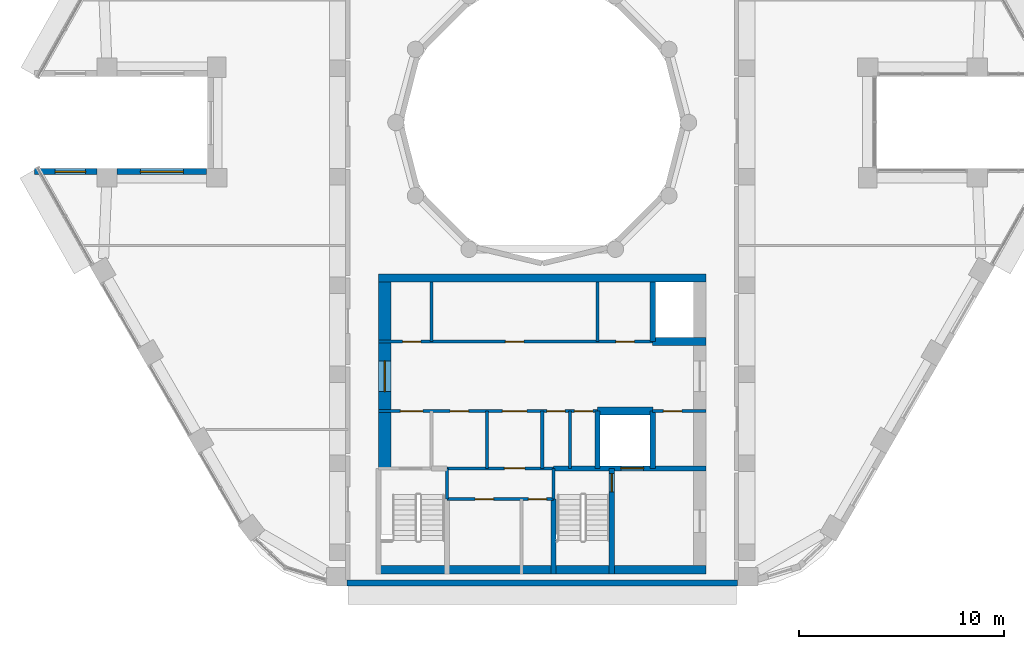
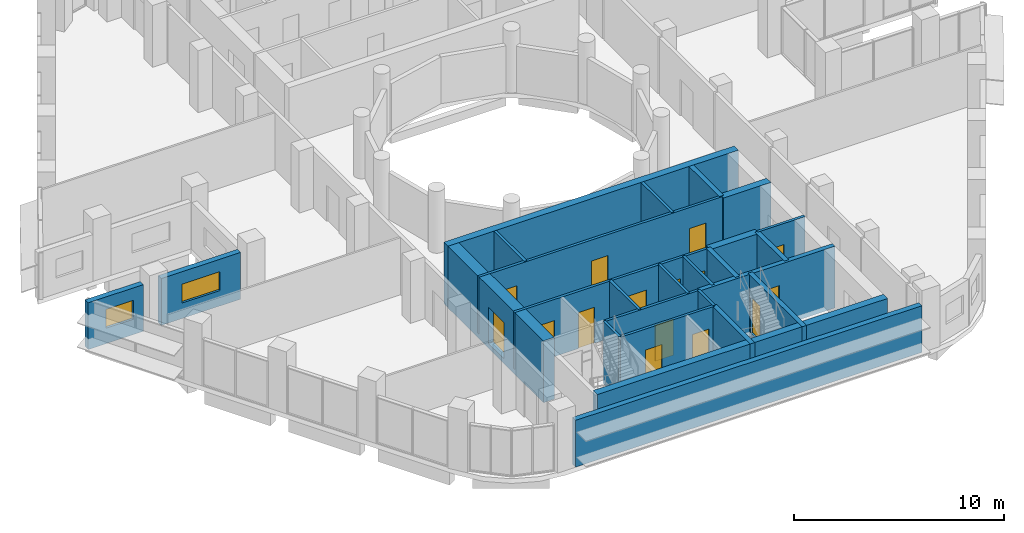
# One storey, part 10 of 16: 26 walls, 15 doors, 2 windows, 17 openings.
"""IFC4 building model written with IfcOpenShell, lengths in metres."""

from ifc_helpers import new_model, si_unit, direction, frame, frame_2d, origin, place, context, subcontext, project, spatial, rectangle, extrude, material, layer, layer_set, type_object, element, fill, save


model = new_model("IFC4")

# Units and contexts
model_context = context("Model", 3, precision=1e-05, world=origin(), true_north=direction((0.0, 1.0)))
body_context = subcontext(model_context, "Body", "Model", "MODEL_VIEW")
ifc_project = project(units=[si_unit("LENGTHUNIT", "METRE"), si_unit("AREAUNIT", "SQUARE_METRE"), si_unit("VOLUMEUNIT", "CUBIC_METRE"), si_unit("PLANEANGLEUNIT", "RADIAN"), si_unit("MASSUNIT", "GRAM", prefix="KILO")], contexts=[model_context])

# Site, building, storey
site_placement = place(None, origin())
site = spatial("IfcSite", under=ifc_project, at=site_placement, CompositionType="ELEMENT")
building_placement = place(site_placement, origin())
building = spatial("IfcBuilding", under=site, at=building_placement, Name="Nakaniwa Court", CompositionType="ELEMENT")
storey_placement = place(building_placement, frame((0.0, 0.0, 272.39990234375)))
storey = spatial("IfcBuildingStorey", under=building, at=storey_placement, Name="C01", CompositionType="ELEMENT", Elevation=272.39990234375)

# Wall, opening, window
ifc_material_1 = material(Name="Charcoal ceramic cladding")
ifc_layer_1 = layer(ifc_material_1, 0.02, Name="Ceramic cladding")
ifc_material_2 = material(Name="Ventilated air cavity")
ifc_layer_2 = layer(ifc_material_2, 0.04, ventilated=True, Name="Ventilated cavity")
ifc_material_3 = material(Name="Mineral wool insulation")
ifc_layer_3 = layer(ifc_material_3, 0.1, Name="Insulation")
ifc_material_4 = material(Name="Cement bonded sheathing board")
ifc_layer_4 = layer(ifc_material_4, 0.012, Name="Sheathing")
ifc_material_5 = material(Name="Cold-formed galvanised stud frame with mineral wool infill")
ifc_layer_5 = layer(ifc_material_5, 0.1, Name="Stud frame")
ifc_material_6 = material(Name="Fire-rated gypsum plasterboard lining")
ifc_layer_6 = layer(ifc_material_6, 0.028, Name="Lining")
ifc_layer_set_1 = layer_set([ifc_layer_1, ifc_layer_2, ifc_layer_3, ifc_layer_4, ifc_layer_5, ifc_layer_6], Name="Charcoal ceramic faced external wall system")
wall_type_1 = type_object("IfcWallType", Name="Black ceramic faced external wall 300", PredefinedType="SOLIDWALL", material=ifc_layer_set_1)
wall_1_placement = place(storey_placement, frame((63.6044921875, 77.60009765625, 0.0), z_axis=(0.0, 0.0, 1.0), x_axis=(-1.0, 0.0, 0.0)))
wall_1 = element("IfcWall", 1, at=wall_1_placement, inside=storey, type_object=wall_type_1, Name="C01 external wall 18", PredefinedType="SOLIDWALL", context=body_context, shape_type="SweptSolid", body=[
    extrude(rectangle(XDim=4.37255859375, YDim=0.300048828125, at=frame_2d((2.186279296875, 0.0))), origin(), (0.0, 0.0, 1.0), 2.72509765625),
])
opening_1_placement = place(wall_1_placement, frame((1.13623046875, 0.0, 0.89990234375)))
opening_1 = element("IfcOpeningElement", 2, at=opening_1_placement, cuts=wall_1, Name="Opening W7.07", PredefinedType="OPENING", context=body_context, shape_type="SweptSolid", body=[
    extrude(rectangle(XDim=2.10009765625, YDim=1.10009765625, at=frame_2d((1.050048828125, 0.550048828125))), frame((0.0, 0.159912109375, 0.0), z_axis=(0.0, -1.0, 0.0), x_axis=(1.0, 0.0, 0.0)), (0.0, 0.0, 1.0), 0.320068359375),
])
ifc_material_7 = material(Name="Black anodised aluminium frame with dark low-E laminated double glazing", Category="aluminium")
window_type_1 = type_object("IfcWindowType", Name="Dark glass window 2100x1100 sill 900", PartitioningType="SINGLE_PANEL", PredefinedType="WINDOW", material=ifc_material_7)
window_1_placement = place(opening_1_placement, origin())
window_1 = element("IfcWindow", 3, at=window_1_placement, inside=storey, type_object=window_type_1, Name="C01 habitable room window 18-0", OverallHeight=1.10009765625, OverallWidth=2.10009765625, PartitioningType="SINGLE_PANEL", PredefinedType="WINDOW", context=body_context, shape_type="SweptSolid", body=[
    extrude(rectangle(XDim=2.10009765625, YDim=1.10009765625, at=frame_2d((1.050048828125, 0.550048828125))), frame((0.0, 0.030029296875, 0.0), z_axis=(0.0, -1.0, 0.0), x_axis=(1.0, 0.0, 0.0)), (0.0, 0.0, 1.0), 0.06005859375),
])
fill(opening_1, window_1)

wall_2_placement = place(storey_placement, frame((58.239990234375, 77.60009765625, 0.0), z_axis=(0.0, 0.0, 1.0), x_axis=(-1.0, 0.0, 0.0)))
wall_2 = element("IfcWall", 4, at=wall_2_placement, inside=storey, type_object=wall_type_1, Name="C01 external wall 19", PredefinedType="SOLIDWALL", context=body_context, shape_type="SweptSolid", body=[
    extrude(rectangle(XDim=3.037841796875, YDim=0.300048828125, at=frame_2d((1.51904296875, 0.0))), origin(), (0.0, 0.0, 1.0), 2.72509765625),
])
opening_2_placement = place(wall_2_placement, frame((0.5439453125, 0.0, 0.89990234375)))
opening_2 = element("IfcOpeningElement", 5, at=opening_2_placement, cuts=wall_2, Name="Opening W5.08", PredefinedType="OPENING", context=body_context, shape_type="SweptSolid", body=[
    extrude(rectangle(XDim=1.5, YDim=1.10009765625, at=frame_2d((0.75, 0.550048828125))), frame((0.0, 0.159912109375, 0.0), z_axis=(0.0, -1.0, 0.0), x_axis=(1.0, 0.0, 0.0)), (0.0, 0.0, 1.0), 0.320068359375),
])
window_type_2 = type_object("IfcWindowType", Name="Dark glass window 1500x1100 sill 900", PartitioningType="SINGLE_PANEL", PredefinedType="WINDOW", material=ifc_material_7)
window_2_placement = place(opening_2_placement, origin())
window_2 = element("IfcWindow", 6, at=window_2_placement, inside=storey, type_object=window_type_2, Name="C01 habitable room window 19-0", OverallHeight=1.10009765625, OverallWidth=1.5, PartitioningType="SINGLE_PANEL", PredefinedType="WINDOW", context=body_context, shape_type="SweptSolid", body=[
    extrude(rectangle(XDim=1.5, YDim=1.10009765625, at=frame_2d((0.75, 0.550048828125))), frame((0.0, 0.030029296875, 0.0), z_axis=(0.0, -1.0, 0.0), x_axis=(1.0, 0.0, 0.0)), (0.0, 0.0, 1.0), 0.06005859375),
])
fill(opening_2, window_2)

# Walls
wall_3_placement = place(storey_placement, frame((70.45068359375, 57.5, 0.0), z_axis=(0.0, 0.0, 1.0), x_axis=(1.0, 0.0, 0.0)))
element("IfcWall", 7, at=wall_3_placement, inside=storey, type_object=wall_type_1, Name="C01 external wall 26", PredefinedType="SOLIDWALL", context=body_context, shape_type="SweptSolid", body=[
    extrude(rectangle(XDim=19.0927734375, YDim=0.300048828125, at=frame_2d((9.54638671875, 0.0))), origin(), (0.0, 0.0, 1.0), 2.72509765625),
])
ifc_material_8 = material(Name="Blockwork partition", Category="masonry")
ifc_layer_7 = layer(ifc_material_8, 0.14990234375)
ifc_layer_set_2 = layer_set([ifc_layer_7], Name="Blockwork partition")
wall_type_2 = type_object("IfcWallType", Name="Blockwork partition 150", PredefinedType="PARTITIONING", material=ifc_layer_set_2)
wall_4_placement = place(storey_placement, frame((74.60009765625, 69.300048828125, 0.0), z_axis=(0.0, 0.0, 1.0), x_axis=(0.0, 1.0, 0.0)))
element("IfcWall", 8, at=wall_4_placement, inside=storey, type_object=wall_type_2, Name="Partition PW-030", PredefinedType="PARTITIONING", context=body_context, shape_type="SweptSolid", body=[
    extrude(rectangle(XDim=2.89990234375, YDim=0.14990234375, at=frame_2d((1.449951171875, 0.0))), origin(), (0.0, 0.0, 1.0), 3.3251953125),
])

# Wall, openings, doors
wall_5_placement = place(storey_placement, frame((72.0, 69.300048828125, 0.0), z_axis=(0.0, 0.0, 1.0), x_axis=(1.0, 0.0, 0.0)))
wall_5 = element("IfcWall", 9, at=wall_5_placement, inside=storey, type_object=wall_type_2, Name="Partition PW-031", PredefinedType="PARTITIONING", context=body_context, shape_type="SweptSolid", body=[
    extrude(rectangle(XDim=13.39990234375, YDim=0.14990234375, at=frame_2d((6.699951171875, 0.0))), origin(), (0.0, 0.0, 1.0), 3.3251953125),
])
opening_3_placement = place(wall_5_placement, frame((1.175048828125, 0.0, 0.0)))
opening_3 = element("IfcOpeningElement", 10, at=opening_3_placement, cuts=wall_5, Name="Opening D-05-10", PredefinedType="OPENING", context=body_context, shape_type="SweptSolid", body=[
    extrude(rectangle(XDim=0.89990234375, YDim=2.10009765625, at=frame_2d((0.449951171875, 1.050048828125))), frame((0.0, 0.0849609375, 0.0), z_axis=(0.0, -1.0, 0.0), x_axis=(1.0, 0.0, 0.0)), (0.0, 0.0, 1.0), 0.169921875),
])
opening_4_placement = place(wall_5_placement, frame((6.199951171875, 0.0, 0.0)))
opening_4 = element("IfcOpeningElement", 11, at=opening_4_placement, cuts=wall_5, Name="Opening D-05-11", PredefinedType="OPENING", context=body_context, shape_type="SweptSolid", body=[
    extrude(rectangle(XDim=0.89990234375, YDim=2.10009765625, at=frame_2d((0.449951171875, 1.050048828125))), frame((0.0, 0.0849609375, 0.0), z_axis=(0.0, -1.0, 0.0), x_axis=(1.0, 0.0, 0.0)), (0.0, 0.0, 1.0), 0.169921875),
])
opening_5_placement = place(wall_5_placement, frame((11.60009765625, 0.0, 0.0)))
opening_5 = element("IfcOpeningElement", 12, at=opening_5_placement, cuts=wall_5, Name="Opening D-05-12", PredefinedType="OPENING", context=body_context, shape_type="SweptSolid", body=[
    extrude(rectangle(XDim=0.89990234375, YDim=2.10009765625, at=frame_2d((0.449951171875, 1.050048828125))), frame((0.0, 0.0849609375, 0.0), z_axis=(0.0, -1.0, 0.0), x_axis=(1.0, 0.0, 0.0)), (0.0, 0.0, 1.0), 0.169921875),
])
ifc_material_9 = material(Name="Fire rated steel door set", Category="steel")
door_type_1 = type_object("IfcDoorType", Name="Service room door 900", OperationType="NOTDEFINED", PredefinedType="DOOR", material=ifc_material_9)
door_1_placement = place(opening_3_placement, origin())
door_1 = element("IfcDoor", 13, at=door_1_placement, inside=storey, type_object=door_type_1, Name="Door D-05-10 C01-015", OperationType="SINGLE_SWING_RIGHT", OverallHeight=2.10009765625, OverallWidth=0.89990234375, PredefinedType="DOOR", context=body_context, shape_type="SweptSolid", body=[
    extrude(rectangle(XDim=0.89990234375, YDim=2.10009765625, at=frame_2d((0.449951171875, 1.050048828125))), frame((0.0, 0.02490234375, 0.0), z_axis=(0.0, -1.0, 0.0), x_axis=(1.0, 0.0, 0.0)), (0.0, 0.0, 1.0), 0.050048828125),
])
fill(opening_3, door_1)
door_2_placement = place(opening_4_placement, origin())
door_2 = element("IfcDoor", 14, at=door_2_placement, inside=storey, type_object=door_type_1, Name="Door D-05-11 C01-016", OperationType="SINGLE_SWING_LEFT", OverallHeight=2.10009765625, OverallWidth=0.89990234375, PredefinedType="DOOR", context=body_context, shape_type="SweptSolid", body=[
    extrude(rectangle(XDim=0.89990234375, YDim=2.10009765625, at=frame_2d((0.449951171875, 1.050048828125))), frame((0.0, 0.02490234375, 0.0), z_axis=(0.0, -1.0, 0.0), x_axis=(1.0, 0.0, 0.0)), (0.0, 0.0, 1.0), 0.050048828125),
])
fill(opening_4, door_2)
door_3_placement = place(opening_5_placement, origin())
door_3 = element("IfcDoor", 15, at=door_3_placement, inside=storey, type_object=door_type_1, Name="Door D-05-12 C01-017", OperationType="SINGLE_SWING_RIGHT", OverallHeight=2.10009765625, OverallWidth=0.89990234375, PredefinedType="DOOR", context=body_context, shape_type="SweptSolid", body=[
    extrude(rectangle(XDim=0.89990234375, YDim=2.10009765625, at=frame_2d((0.449951171875, 1.050048828125))), frame((0.0, 0.02490234375, 0.0), z_axis=(0.0, -1.0, 0.0), x_axis=(1.0, 0.0, 0.0)), (0.0, 0.0, 1.0), 0.050048828125),
])
fill(opening_5, door_3)

# Wall
wall_6_placement = place(storey_placement, frame((82.699951171875, 69.300048828125, 0.0), z_axis=(0.0, 0.0, 1.0), x_axis=(0.0, 1.0, 0.0)))
element("IfcWall", 16, at=wall_6_placement, inside=storey, type_object=wall_type_2, Name="Partition PW-037", PredefinedType="PARTITIONING", context=body_context, shape_type="SweptSolid", body=[
    extrude(rectangle(XDim=2.89990234375, YDim=0.14990234375, at=frame_2d((1.449951171875, 0.0))), origin(), (0.0, 0.0, 1.0), 3.3251953125),
])

# Wall, openings, doors
wall_7_placement = place(storey_placement, frame((82.702880859375, 65.89990234375, 0.0), z_axis=(0.0, 0.0, 1.0), x_axis=(-1.0, 0.0, 0.0)))
wall_7 = element("IfcWall", 17, at=wall_7_placement, inside=storey, type_object=wall_type_2, Name="Partition PW-038", PredefinedType="PARTITIONING", context=body_context, shape_type="SweptSolid", body=[
    extrude(rectangle(XDim=10.702880859375, YDim=0.14990234375, at=frame_2d((5.3515625, 0.0))), origin(), (0.0, 0.0, 1.0), 3.3251953125),
])
opening_6_placement = place(wall_7_placement, frame((8.528076171875, 0.0, 0.0)))
opening_6 = element("IfcOpeningElement", 18, at=opening_6_placement, cuts=wall_7, Name="Opening D-08-02", PredefinedType="OPENING", context=body_context, shape_type="SweptSolid", body=[
    extrude(rectangle(XDim=1.10009765625, YDim=2.10009765625, at=frame_2d((0.550048828125, 1.050048828125))), frame((0.0, 0.0849609375, 0.0), z_axis=(0.0, -1.0, 0.0), x_axis=(1.0, 0.0, 0.0)), (0.0, 0.0, 1.0), 0.169921875),
])
opening_7_placement = place(wall_7_placement, frame((6.302978515625, 0.0, 0.0)))
opening_7 = element("IfcOpeningElement", 19, at=opening_7_placement, cuts=wall_7, Name="Opening D-05-13", PredefinedType="OPENING", context=body_context, shape_type="SweptSolid", body=[
    extrude(rectangle(XDim=0.89990234375, YDim=2.10009765625, at=frame_2d((0.449951171875, 1.050048828125))), frame((0.0, 0.0849609375, 0.0), z_axis=(0.0, -1.0, 0.0), x_axis=(1.0, 0.0, 0.0)), (0.0, 0.0, 1.0), 0.169921875),
])
opening_8_placement = place(wall_7_placement, frame((3.452880859375, 0.0, 0.0)))
opening_8 = element("IfcOpeningElement", 20, at=opening_8_placement, cuts=wall_7, Name="Opening D-06-02", PredefinedType="OPENING", context=body_context, shape_type="SweptSolid", body=[
    extrude(rectangle(XDim=1.199951171875, YDim=2.10009765625, at=frame_2d((0.60009765625, 1.050048828125))), frame((0.0, 0.0849609375, 0.0), z_axis=(0.0, -1.0, 0.0), x_axis=(1.0, 0.0, 0.0)), (0.0, 0.0, 1.0), 0.169921875),
])
opening_9_placement = place(wall_7_placement, frame((1.577880859375, 0.0, 0.0)))
opening_9 = element("IfcOpeningElement", 21, at=opening_9_placement, cuts=wall_7, Name="Opening D-05-14", PredefinedType="OPENING", context=body_context, shape_type="SweptSolid", body=[
    extrude(rectangle(XDim=0.89990234375, YDim=2.10009765625, at=frame_2d((0.449951171875, 1.050048828125))), frame((0.0, 0.0849609375, 0.0), z_axis=(0.0, -1.0, 0.0), x_axis=(1.0, 0.0, 0.0)), (0.0, 0.0, 1.0), 0.169921875),
])
opening_10_placement = place(wall_7_placement, frame((0.22802734375, 0.0, 0.0)))
opening_10 = element("IfcOpeningElement", 22, at=opening_10_placement, cuts=wall_7, Name="Opening D-05-15", PredefinedType="OPENING", context=body_context, shape_type="SweptSolid", body=[
    extrude(rectangle(XDim=0.89990234375, YDim=2.10009765625, at=frame_2d((0.449951171875, 1.050048828125))), frame((0.0, 0.0849609375, 0.0), z_axis=(0.0, -1.0, 0.0), x_axis=(1.0, 0.0, 0.0)), (0.0, 0.0, 1.0), 0.169921875),
])
ifc_material_10 = material(Name="Fire rated steel double door set", Category="steel")
door_type_2 = type_object("IfcDoorType", Name="Service passage double door 1200", OperationType="NOTDEFINED", PredefinedType="DOOR", material=ifc_material_10)
door_4_placement = place(opening_8_placement, origin())
door_4 = element("IfcDoor", 23, at=door_4_placement, inside=storey, type_object=door_type_2, Name="Door D-06-02 C01-020", OperationType="DOUBLE_DOOR_SINGLE_SWING", OverallHeight=2.10009765625, OverallWidth=1.199951171875, PredefinedType="DOOR", context=body_context, shape_type="SweptSolid", body=[
    extrude(rectangle(XDim=1.199951171875, YDim=2.10009765625, at=frame_2d((0.60009765625, 1.050048828125))), frame((0.0, 0.02490234375, 0.0), z_axis=(0.0, -1.0, 0.0), x_axis=(1.0, 0.0, 0.0)), (0.0, 0.0, 1.0), 0.050048828125),
])
fill(opening_8, door_4)
door_5_placement = place(opening_7_placement, origin())
door_5 = element("IfcDoor", 24, at=door_5_placement, inside=storey, type_object=door_type_1, Name="Door D-05-13 C01-019", OperationType="SINGLE_SWING_RIGHT", OverallHeight=2.10009765625, OverallWidth=0.89990234375, PredefinedType="DOOR", context=body_context, shape_type="SweptSolid", body=[
    extrude(rectangle(XDim=0.89990234375, YDim=2.10009765625, at=frame_2d((0.449951171875, 1.050048828125))), frame((0.0, 0.02490234375, 0.0), z_axis=(0.0, -1.0, 0.0), x_axis=(1.0, 0.0, 0.0)), (0.0, 0.0, 1.0), 0.050048828125),
])
fill(opening_7, door_5)
door_6_placement = place(opening_9_placement, origin())
door_6 = element("IfcDoor", 25, at=door_6_placement, inside=storey, type_object=door_type_1, Name="Door D-05-14 C01-021", OperationType="SINGLE_SWING_RIGHT", OverallHeight=2.10009765625, OverallWidth=0.89990234375, PredefinedType="DOOR", context=body_context, shape_type="SweptSolid", body=[
    extrude(rectangle(XDim=0.89990234375, YDim=2.10009765625, at=frame_2d((0.449951171875, 1.050048828125))), frame((0.0, 0.02490234375, 0.0), z_axis=(0.0, -1.0, 0.0), x_axis=(1.0, 0.0, 0.0)), (0.0, 0.0, 1.0), 0.050048828125),
])
fill(opening_9, door_6)
door_7_placement = place(opening_10_placement, origin())
door_7 = element("IfcDoor", 26, at=door_7_placement, inside=storey, type_object=door_type_1, Name="Door D-05-15 C01-022", OperationType="SINGLE_SWING_LEFT", OverallHeight=2.10009765625, OverallWidth=0.89990234375, PredefinedType="DOOR", context=body_context, shape_type="SweptSolid", body=[
    extrude(rectangle(XDim=0.89990234375, YDim=2.10009765625, at=frame_2d((0.449951171875, 1.050048828125))), frame((0.0, 0.02490234375, 0.0), z_axis=(0.0, -1.0, 0.0), x_axis=(1.0, 0.0, 0.0)), (0.0, 0.0, 1.0), 0.050048828125),
])
fill(opening_10, door_7)
door_type_3 = type_object("IfcDoorType", Name="Stair lobby door 1100", OperationType="NOTDEFINED", PredefinedType="DOOR", material=ifc_material_9)
door_8_placement = place(opening_6_placement, origin())
door_8 = element("IfcDoor", 27, at=door_8_placement, inside=storey, type_object=door_type_3, Name="Door D-08-02 C01-018", OperationType="SINGLE_SWING_LEFT", OverallHeight=2.10009765625, OverallWidth=1.10009765625, PredefinedType="DOOR", context=body_context, shape_type="SweptSolid", body=[
    extrude(rectangle(XDim=1.10009765625, YDim=2.10009765625, at=frame_2d((0.550048828125, 1.050048828125))), frame((0.0, 0.02490234375, 0.0), z_axis=(0.0, -1.0, 0.0), x_axis=(1.0, 0.0, 0.0)), (0.0, 0.0, 1.0), 0.050048828125),
])
fill(opening_6, door_8)

# Wall, opening, door
wall_8_placement = place(storey_placement, frame((88.0, 65.89990234375, 0.0), z_axis=(0.0, 0.0, 1.0), x_axis=(-1.0, 0.0, 0.0)))
wall_8 = element("IfcWall", 28, at=wall_8_placement, inside=storey, type_object=wall_type_2, Name="Partition PW-039", PredefinedType="PARTITIONING", context=body_context, shape_type="SweptSolid", body=[
    extrude(rectangle(XDim=2.60302734375, YDim=0.14990234375, at=frame_2d((1.301513671875, 0.0))), origin(), (0.0, 0.0, 1.0), 3.3251953125),
])
opening_11_placement = place(wall_8_placement, frame((1.175048828125, 0.0, 0.0)))
opening_11 = element("IfcOpeningElement", 29, at=opening_11_placement, cuts=wall_8, Name="Opening D-05-16", PredefinedType="OPENING", context=body_context, shape_type="SweptSolid", body=[
    extrude(rectangle(XDim=0.89990234375, YDim=2.10009765625, at=frame_2d((0.449951171875, 1.050048828125))), frame((0.0, 0.0849609375, 0.0), z_axis=(0.0, -1.0, 0.0), x_axis=(1.0, 0.0, 0.0)), (0.0, 0.0, 1.0), 0.169921875),
])
door_9_placement = place(opening_11_placement, origin())
door_9 = element("IfcDoor", 30, at=door_9_placement, inside=storey, type_object=door_type_1, Name="Door D-05-16 C01-023", OperationType="SINGLE_SWING_RIGHT", OverallHeight=2.10009765625, OverallWidth=0.89990234375, PredefinedType="DOOR", context=body_context, shape_type="SweptSolid", body=[
    extrude(rectangle(XDim=0.89990234375, YDim=2.10009765625, at=frame_2d((0.449951171875, 1.050048828125))), frame((0.0, 0.02490234375, 0.0), z_axis=(0.0, -1.0, 0.0), x_axis=(1.0, 0.0, 0.0)), (0.0, 0.0, 1.0), 0.050048828125),
])
fill(opening_11, door_9)

# Wall
wall_9_placement = place(storey_placement, frame((77.300048828125, 63.10009765625, 0.0), z_axis=(0.0, 0.0, 1.0), x_axis=(0.0, 1.0, 0.0)))
element("IfcWall", 31, at=wall_9_placement, inside=storey, type_object=wall_type_2, Name="Partition PW-042", PredefinedType="PARTITIONING", context=body_context, shape_type="SweptSolid", body=[
    extrude(rectangle(XDim=2.7998046875, YDim=0.14990234375, at=frame_2d((1.39990234375, 0.0))), origin(), (0.0, 0.0, 1.0), 3.3251953125),
])

# Wall, opening, door
wall_10_placement = place(storey_placement, frame((80.552978515625, 63.10009765625, 0.0), z_axis=(0.0, 0.0, 1.0), x_axis=(-1.0, 0.0, 0.0)))
wall_10 = element("IfcWall", 32, at=wall_10_placement, inside=storey, type_object=wall_type_2, Name="Partition PW-045", PredefinedType="PARTITIONING", context=body_context, shape_type="SweptSolid", body=[
    extrude(rectangle(XDim=5.2060546875, YDim=0.14990234375, at=frame_2d((2.60302734375, 0.0))), origin(), (0.0, 0.0, 1.0), 3.3251953125),
])
opening_12_placement = place(wall_10_placement, frame((1.403076171875, 0.0, 0.0)))
opening_12 = element("IfcOpeningElement", 33, at=opening_12_placement, cuts=wall_10, Name="Opening D-23-02", PredefinedType="OPENING", context=body_context, shape_type="SweptSolid", body=[
    extrude(rectangle(XDim=1.0, YDim=2.10009765625, at=frame_2d((0.5, 1.050048828125))), frame((0.0, 0.0849609375, 0.0), z_axis=(0.0, -1.0, 0.0), x_axis=(1.0, 0.0, 0.0)), (0.0, 0.0, 1.0), 0.169921875),
])
door_type_4 = type_object("IfcDoorType", Name="Service room door 1000", OperationType="NOTDEFINED", PredefinedType="DOOR", material=ifc_material_9)
door_10_placement = place(opening_12_placement, origin())
door_10 = element("IfcDoor", 34, at=door_10_placement, inside=storey, type_object=door_type_4, Name="Door D-23-02 C01-024", OperationType="SINGLE_SWING_LEFT", OverallHeight=2.10009765625, OverallWidth=1.0, PredefinedType="DOOR", context=body_context, shape_type="SweptSolid", body=[
    extrude(rectangle(XDim=1.0, YDim=2.10009765625, at=frame_2d((0.5, 1.050048828125))), frame((0.0, 0.02490234375, 0.0), z_axis=(0.0, -1.0, 0.0), x_axis=(1.0, 0.0, 0.0)), (0.0, 0.0, 1.0), 0.050048828125),
])
fill(opening_12, door_10)

# Walls
for number, where, z_axis, x_axis, name in (
    (35, (80.0, 63.10009765625, 0.0), (0.0, 0.0, 1.0), (0.0, 1.0, 0.0), "Partition PW-046"),
    (36, (81.35009765625, 63.10009765625, 0.0), (0.0, 0.0, 1.0), (0.0, 1.0, 0.0), "Partition PW-047"),
):
    element("IfcWall", number, at=place(storey_placement, frame(where, z_axis=z_axis, x_axis=x_axis)), inside=storey, type_object=wall_type_2, Name=name, PredefinedType="PARTITIONING", context=body_context, shape_type="SweptSolid", body=[
        extrude(rectangle(XDim=2.7998046875, YDim=0.14990234375, at=frame_2d((1.39990234375, 0.0))), origin(), (0.0, 0.0, 1.0), 3.3251953125),
    ])

# Wall, openings, doors
wall_11_placement = place(storey_placement, frame((80.550048828125, 61.60009765625, 0.0), z_axis=(0.0, 0.0, 1.0), x_axis=(-1.0, 0.0, 0.0)))
wall_11 = element("IfcWall", 37, at=wall_11_placement, inside=storey, type_object=wall_type_2, Name="Partition PW-055", PredefinedType="PARTITIONING", context=body_context, shape_type="SweptSolid", body=[
    extrude(rectangle(XDim=5.199951171875, YDim=0.14990234375, at=frame_2d((2.60009765625, 0.0))), origin(), (0.0, 0.0, 1.0), 3.3251953125),
])
opening_13_placement = place(wall_11_placement, frame((2.929931640625, 0.0, 0.0)))
opening_13 = element("IfcOpeningElement", 38, at=opening_13_placement, cuts=wall_11, Name="Opening D-05-17", PredefinedType="OPENING", context=body_context, shape_type="SweptSolid", body=[
    extrude(rectangle(XDim=0.89990234375, YDim=2.10009765625, at=frame_2d((0.449951171875, 1.050048828125))), frame((0.0, 0.0849609375, 0.0), z_axis=(0.0, -1.0, 0.0), x_axis=(1.0, 0.0, 0.0)), (0.0, 0.0, 1.0), 0.169921875),
])
opening_14_placement = place(wall_11_placement, frame((0.330078125, 0.0, 0.0)))
opening_14 = element("IfcOpeningElement", 39, at=opening_14_placement, cuts=wall_11, Name="Opening D-05-18", PredefinedType="OPENING", context=body_context, shape_type="SweptSolid", body=[
    extrude(rectangle(XDim=0.89990234375, YDim=2.10009765625, at=frame_2d((0.449951171875, 1.050048828125))), frame((0.0, 0.0849609375, 0.0), z_axis=(0.0, -1.0, 0.0), x_axis=(1.0, 0.0, 0.0)), (0.0, 0.0, 1.0), 0.169921875),
])
door_11_placement = place(opening_13_placement, origin())
door_11 = element("IfcDoor", 40, at=door_11_placement, inside=storey, type_object=door_type_1, Name="Door D-05-17 C01-025", OperationType="SINGLE_SWING_RIGHT", OverallHeight=2.10009765625, OverallWidth=0.89990234375, PredefinedType="DOOR", context=body_context, shape_type="SweptSolid", body=[
    extrude(rectangle(XDim=0.89990234375, YDim=2.10009765625, at=frame_2d((0.449951171875, 1.050048828125))), frame((0.0, 0.02490234375, 0.0), z_axis=(0.0, -1.0, 0.0), x_axis=(1.0, 0.0, 0.0)), (0.0, 0.0, 1.0), 0.050048828125),
])
fill(opening_13, door_11)
door_12_placement = place(opening_14_placement, origin())
door_12 = element("IfcDoor", 41, at=door_12_placement, inside=storey, type_object=door_type_1, Name="Door D-05-18 C01-026", OperationType="SINGLE_SWING_LEFT", OverallHeight=2.10009765625, OverallWidth=0.89990234375, PredefinedType="DOOR", context=body_context, shape_type="SweptSolid", body=[
    extrude(rectangle(XDim=0.89990234375, YDim=2.10009765625, at=frame_2d((0.449951171875, 1.050048828125))), frame((0.0, 0.02490234375, 0.0), z_axis=(0.0, -1.0, 0.0), x_axis=(1.0, 0.0, 0.0)), (0.0, 0.0, 1.0), 0.050048828125),
])
fill(opening_14, door_12)

# Wall, opening, door
ifc_material_11 = material(Name="Concrete C80/100", Category="concrete")
ifc_layer_8 = layer(ifc_material_11, 0.60009765625)
ifc_layer_set_3 = layer_set([ifc_layer_8], Name="Concrete C80/100")
wall_type_3 = type_object("IfcWallType", Name="Concrete core side wall 600 C80", PredefinedType="SHEAR", material=ifc_layer_set_3)
wall_12_placement = place(storey_placement, frame((72.300048828125, 63.10009765625, -0.27490234375), z_axis=(0.0, 0.0, 1.0), x_axis=(0.0, 1.0, 0.0)))
wall_12 = element("IfcWall", 42, at=wall_12_placement, inside=storey, type_object=wall_type_3, Name="Core wall SW-32", PredefinedType="SHEAR", context=body_context, shape_type="SweptSolid", body=[
    extrude(rectangle(XDim=9.099853515625, YDim=0.60009765625, at=frame_2d((4.5498046875, 0.0))), origin(), (0.0, 0.0, 1.0), 3.60009765625),
])
opening_15_placement = place(wall_12_placement, frame((3.75, 0.0, 0.27490234375)))
opening_15 = element("IfcOpeningElement", 43, at=opening_15_placement, cuts=wall_12, Name="Opening D-07-04", PredefinedType="OPENING", context=body_context, shape_type="SweptSolid", body=[
    extrude(rectangle(XDim=1.5, YDim=2.10009765625, at=frame_2d((0.75, 1.050048828125))), frame((0.0, 0.31005859375, 0.0), z_axis=(0.0, -1.0, 0.0), x_axis=(1.0, 0.0, 0.0)), (0.0, 0.0, 1.0), 0.6201171875),
])
ifc_material_12 = material(Name="Glazed fire rated steel double door set", Category="steel")
door_type_5 = type_object("IfcDoorType", Name="Lobby double door 1500", OperationType="NOTDEFINED", PredefinedType="DOOR", material=ifc_material_12)
door_13_placement = place(opening_15_placement, origin())
door_13 = element("IfcDoor", 44, at=door_13_placement, inside=storey, type_object=door_type_5, Name="Door D-07-04 C01-041", OperationType="DOUBLE_DOOR_SINGLE_SWING", OverallHeight=2.10009765625, OverallWidth=1.5, PredefinedType="DOOR", context=body_context, shape_type="SweptSolid", body=[
    extrude(rectangle(XDim=1.5, YDim=2.10009765625, at=frame_2d((0.75, 1.050048828125))), frame((0.0, 0.02490234375, 0.0), z_axis=(0.0, -1.0, 0.0), x_axis=(1.0, 0.0, 0.0)), (0.0, 0.0, 1.0), 0.050048828125),
])
fill(opening_15, door_13)

# Walls
ifc_layer_9 = layer(ifc_material_11, 0.39990234375)
ifc_layer_set_4 = layer_set([ifc_layer_9], Name="Concrete C80/100")
wall_type_4 = type_object("IfcWallType", Name="Concrete core spine wall 400 C80", PredefinedType="SHEAR", material=ifc_layer_set_4)
wall_13_placement = place(storey_placement, frame((85.39990234375, 69.300048828125, -0.27490234375), z_axis=(0.0, 0.0, 1.0), x_axis=(1.0, 0.0, 0.0)))
element("IfcWall", 45, at=wall_13_placement, inside=storey, type_object=wall_type_4, Name="Core wall SW-35", PredefinedType="SHEAR", context=body_context, shape_type="SweptSolid", body=[
    extrude(rectangle(XDim=2.60009765625, YDim=0.39990234375, at=frame_2d((1.300048828125, 0.0))), origin(), (0.0, 0.0, 1.0), 3.60009765625),
])
wall_14_placement = place(storey_placement, frame((82.697021484375, 65.89990234375, -0.27490234375), z_axis=(0.0, 0.0, 1.0), x_axis=(1.0, 0.0, 0.0)))
element("IfcWall", 46, at=wall_14_placement, inside=storey, type_object=wall_type_4, Name="Core wall SW-40", PredefinedType="SHEAR", context=body_context, shape_type="SweptSolid", body=[
    extrude(rectangle(XDim=2.7060546875, YDim=0.39990234375, at=frame_2d((1.35302734375, 0.0))), origin(), (0.0, 0.0, 1.0), 3.60009765625),
])
ifc_layer_10 = layer(ifc_material_11, 0.14990234375)
ifc_layer_set_5 = layer_set([ifc_layer_10], Name="Concrete C80/100")
wall_type_5 = type_object("IfcWallType", Name="Concrete core wall 150 C80", PredefinedType="SHEAR", material=ifc_layer_set_5)
for number, where, z_axis, x_axis, name in (
    (47, (75.35009765625, 61.596923828125, -0.27490234375), (0.0, 0.0, 1.0), (0.0, 1.0, 0.0), "Core wall SW-49"),
    (48, (80.550048828125, 61.596923828125, -0.27490234375), (0.0, 0.0, 1.0), (0.0, 1.0, 0.0), "Core wall SW-53"),
):
    element("IfcWall", number, at=place(storey_placement, frame(where, z_axis=z_axis, x_axis=x_axis)), inside=storey, type_object=wall_type_5, Name=name, PredefinedType="SHEAR", context=body_context, shape_type="SweptSolid", body=[
        extrude(rectangle(XDim=1.503173828125, YDim=0.14990234375, at=frame_2d((0.75146484375, 0.0))), origin(), (0.0, 0.0, 1.0), 3.60009765625),
    ])
ifc_layer_11 = layer(ifc_material_11, 0.39990234375)
ifc_layer_set_6 = layer_set([ifc_layer_11], Name="Concrete C80/100")
wall_type_6 = type_object("IfcWallType", Name="Concrete core wall 400 C80", PredefinedType="SHEAR", material=ifc_layer_set_6)
wall_15_placement = place(storey_placement, frame((72.00390625, 58.14990234375, -0.27490234375), z_axis=(0.0, 0.0, 1.0), x_axis=(1.0, 0.0, 0.0)))
element("IfcWall", 49, at=wall_15_placement, inside=storey, type_object=wall_type_6, Name="Core wall SW-88", PredefinedType="SHEAR", context=body_context, shape_type="SweptSolid", body=[
    extrude(rectangle(XDim=15.9921875, YDim=0.39990234375, at=frame_2d((7.99609375, 0.0))), origin(), (0.0, 0.0, 1.0), 3.60009765625),
])
ifc_layer_12 = layer(ifc_material_11, 0.39990234375)
ifc_layer_set_7 = layer_set([ifc_layer_12], Name="Concrete C80/100")
wall_type_7 = type_object("IfcWallType", Name="Concrete core well wall 400 C80", PredefinedType="SHEAR", material=ifc_layer_set_7)
wall_16_placement = place(storey_placement, frame((72.00390625, 72.39990234375, -0.27490234375), z_axis=(0.0, 0.0, 1.0), x_axis=(1.0, 0.0, 0.0)))
element("IfcWall", 50, at=wall_16_placement, inside=storey, type_object=wall_type_7, Name="Core wall SW-87", PredefinedType="SHEAR", context=body_context, shape_type="SweptSolid", body=[
    extrude(rectangle(XDim=15.9921875, YDim=0.39990234375, at=frame_2d((7.99609375, 0.0))), origin(), (0.0, 0.0, 1.0), 3.60009765625),
])
ifc_layer_13 = layer(ifc_material_11, 0.25)
ifc_layer_set_8 = layer_set([ifc_layer_13], Name="Concrete C80/100")
wall_type_8 = type_object("IfcWallType", Name="Concrete shaft wall 250 C80", PredefinedType="SHEAR", material=ifc_layer_set_8)
wall_17_placement = place(storey_placement, frame((85.39990234375, 63.10009765625, -0.27490234375), z_axis=(0.0, 0.0, 1.0), x_axis=(0.0, 1.0, 0.0)))
element("IfcWall", 51, at=wall_17_placement, inside=storey, type_object=wall_type_8, Name="Core wall SW-33", PredefinedType="SHEAR", context=body_context, shape_type="SweptSolid", body=[
    extrude(rectangle(XDim=2.7998046875, YDim=0.25, at=frame_2d((1.39990234375, 0.0))), origin(), (0.0, 0.0, 1.0), 3.60009765625),
])
wall_18_placement = place(storey_placement, frame((85.39990234375, 69.300048828125, -0.27490234375), z_axis=(0.0, 0.0, 1.0), x_axis=(0.0, 1.0, 0.0)))
element("IfcWall", 52, at=wall_18_placement, inside=storey, type_object=wall_type_8, Name="Core wall SW-34", PredefinedType="SHEAR", context=body_context, shape_type="SweptSolid", body=[
    extrude(rectangle(XDim=2.89990234375, YDim=0.25, at=frame_2d((1.449951171875, 0.0))), origin(), (0.0, 0.0, 1.0), 3.60009765625),
])

# Wall, opening, door
wall_19_placement = place(storey_placement, frame((80.547119140625, 63.10009765625, -0.27490234375), z_axis=(0.0, 0.0, 1.0), x_axis=(1.0, 0.0, 0.0)))
wall_19 = element("IfcWall", 53, at=wall_19_placement, inside=storey, type_object=wall_type_8, Name="Core wall SW-44", PredefinedType="SHEAR", context=body_context, shape_type="SweptSolid", body=[
    extrude(rectangle(XDim=7.452880859375, YDim=0.25, at=frame_2d((3.7265625, 0.0))), origin(), (0.0, 0.0, 1.0), 3.60009765625),
])
opening_16_placement = place(wall_19_placement, frame((3.302001953125, 0.0, 0.27490234375)))
opening_16 = element("IfcOpeningElement", 54, at=opening_16_placement, cuts=wall_19, Name="Opening LD02", PredefinedType="OPENING", context=body_context, shape_type="SweptSolid", body=[
    extrude(rectangle(XDim=1.10009765625, YDim=2.10009765625, at=frame_2d((0.550048828125, 1.050048828125))), frame((0.0, 0.135009765625, 0.0), z_axis=(0.0, -1.0, 0.0), x_axis=(1.0, 0.0, 0.0)), (0.0, 0.0, 1.0), 0.27001953125),
])
ifc_material_13 = material(Name="Stainless steel sliding lift landing door", Category="steel")
door_type_6 = type_object("IfcDoorType", Name="Lift landing door 1100", OperationType="NOTDEFINED", PredefinedType="DOOR", material=ifc_material_13)
door_14_placement = place(opening_16_placement, origin())
door_14 = element("IfcDoor", 55, at=door_14_placement, inside=storey, type_object=door_type_6, Name="Lift landing door LD02 C01-002", OperationType="SLIDING_TO_LEFT", OverallHeight=2.10009765625, OverallWidth=1.10009765625, PredefinedType="DOOR", context=body_context, shape_type="SweptSolid", body=[
    extrude(rectangle(XDim=1.10009765625, YDim=2.10009765625, at=frame_2d((0.550048828125, 1.050048828125))), frame((0.0, 0.02490234375, 0.0), z_axis=(0.0, -1.0, 0.0), x_axis=(1.0, 0.0, 0.0)), (0.0, 0.0, 1.0), 0.050048828125),
])
fill(opening_16, door_14)

# Wall
wall_20_placement = place(storey_placement, frame((82.699951171875, 63.10009765625, -0.27490234375), z_axis=(0.0, 0.0, 1.0), x_axis=(0.0, 1.0, 0.0)))
element("IfcWall", 56, at=wall_20_placement, inside=storey, type_object=wall_type_8, Name="Core wall SW-48", PredefinedType="SHEAR", context=body_context, shape_type="SweptSolid", body=[
    extrude(rectangle(XDim=2.7998046875, YDim=0.25, at=frame_2d((1.39990234375, 0.0))), origin(), (0.0, 0.0, 1.0), 3.60009765625),
])

# Wall, opening, door
wall_21_placement = place(storey_placement, frame((83.39990234375, 63.10009765625, -0.27490234375), z_axis=(0.0, 0.0, 1.0), x_axis=(0.0, -1.0, 0.0)))
wall_21 = element("IfcWall", 57, at=wall_21_placement, inside=storey, type_object=wall_type_8, Name="Core wall SW-52", PredefinedType="SHEAR", context=body_context, shape_type="SweptSolid", body=[
    extrude(rectangle(XDim=5.150146484375, YDim=0.25, at=frame_2d((2.5751953125, 0.0))), origin(), (0.0, 0.0, 1.0), 3.60009765625),
])
opening_17_placement = place(wall_21_placement, frame((0.25, 0.0, 0.27490234375)))
opening_17 = element("IfcOpeningElement", 58, at=opening_17_placement, cuts=wall_21, Name="Opening D-11-02", PredefinedType="OPENING", context=body_context, shape_type="SweptSolid", body=[
    extrude(rectangle(XDim=0.89990234375, YDim=2.10009765625, at=frame_2d((0.449951171875, 1.050048828125))), frame((0.0, 0.135009765625, 0.0), z_axis=(0.0, -1.0, 0.0), x_axis=(1.0, 0.0, 0.0)), (0.0, 0.0, 1.0), 0.27001953125),
])
door_type_7 = type_object("IfcDoorType", Name="Stair door 900", OperationType="NOTDEFINED", PredefinedType="DOOR", material=ifc_material_9)
door_15_placement = place(opening_17_placement, origin())
door_15 = element("IfcDoor", 59, at=door_15_placement, inside=storey, type_object=door_type_7, Name="Door D-11-02 C01-028", OperationType="SINGLE_SWING_RIGHT", OverallHeight=2.10009765625, OverallWidth=0.89990234375, PredefinedType="DOOR", context=body_context, shape_type="SweptSolid", body=[
    extrude(rectangle(XDim=0.89990234375, YDim=2.10009765625, at=frame_2d((0.449951171875, 1.050048828125))), frame((0.0, 0.02490234375, 0.0), z_axis=(0.0, -1.0, 0.0), x_axis=(1.0, 0.0, 0.0)), (0.0, 0.0, 1.0), 0.050048828125),
])
fill(opening_17, door_15)

# Wall
wall_22_placement = place(storey_placement, frame((80.550048828125, 57.949951171875, -0.27490234375), z_axis=(0.0, 0.0, 1.0), x_axis=(0.0, 1.0, 0.0)))
element("IfcWall", 60, at=wall_22_placement, inside=storey, type_object=wall_type_8, Name="Core wall SW-54", PredefinedType="SHEAR", context=body_context, shape_type="SweptSolid", body=[
    extrude(rectangle(XDim=3.653076171875, YDim=0.25, at=frame_2d((1.82666015625, 0.0))), origin(), (0.0, 0.0, 1.0), 3.60009765625),
])

save(model, "model.ifc")
